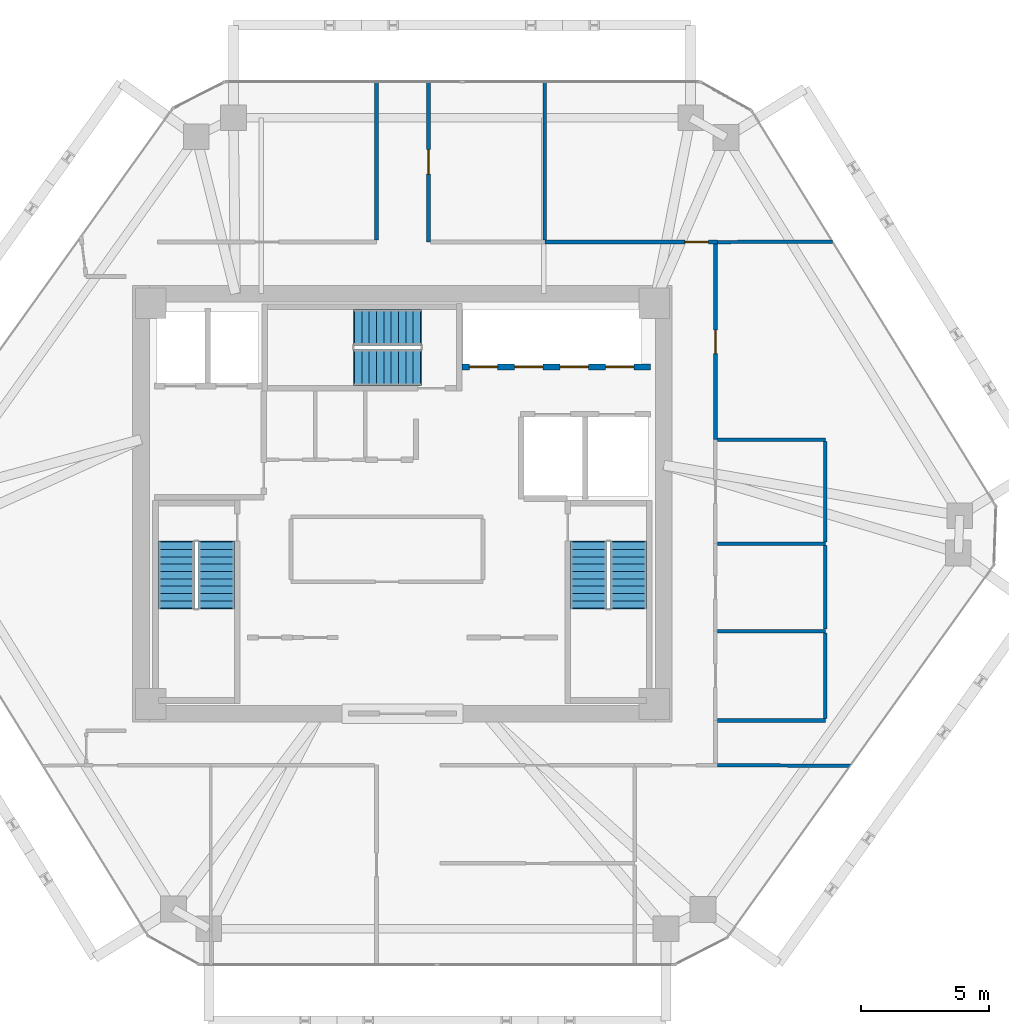
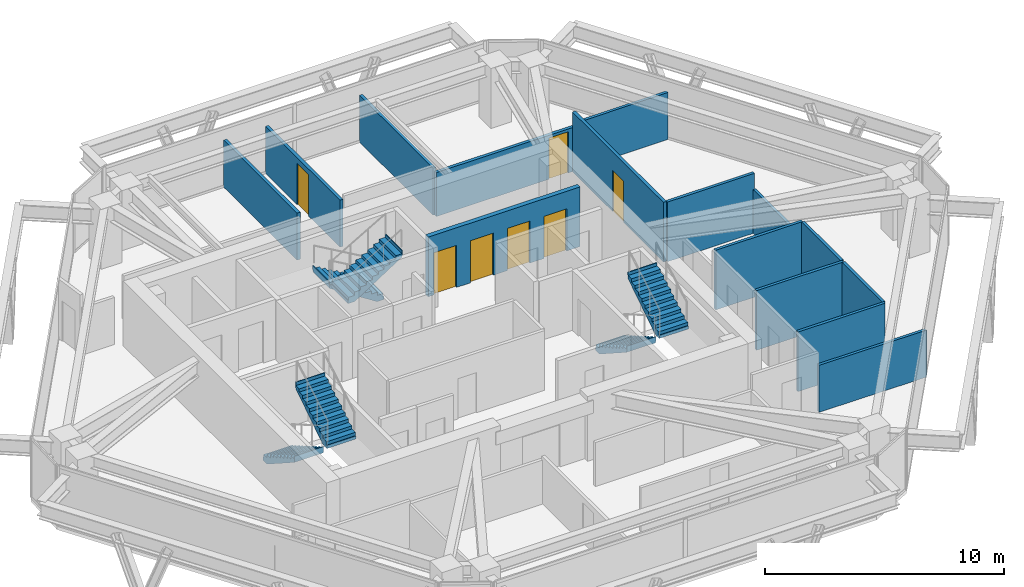
# One storey, part 10 of 11: 15 walls, 7 doors, 6 stair flights, 7 openings, 3 elements without a shape of their own.
"""IFC4 building model written with IfcOpenShell, lengths in metres."""

from ifc_helpers import new_model, si_unit, direction, frame, frame_2d, origin, place, context, subcontext, project, spatial, polyline, rectangle, outline, extrude, source, transform, mapped, material, layer, layer_set, type_object, type_shapes, element, fill, aggregate, save


model = new_model("IFC4")

# Units and contexts
model_context = context("Model", 3, precision=1e-05, world=origin(), true_north=direction((0.0, 1.0)))
body_context = subcontext(model_context, "Body", "Model", "MODEL_VIEW")
ifc_project = project(units=[si_unit("LENGTHUNIT", "METRE"), si_unit("AREAUNIT", "SQUARE_METRE"), si_unit("VOLUMEUNIT", "CUBIC_METRE"), si_unit("PLANEANGLEUNIT", "RADIAN"), si_unit("MASSUNIT", "GRAM", prefix="KILO")], contexts=[model_context])

# Site, building, storey
site_placement = place(None, origin())
site = spatial("IfcSite", under=ifc_project, at=site_placement, CompositionType="ELEMENT")
building_placement = place(site_placement, origin())
building = spatial("IfcBuilding", under=site, at=building_placement, Name="Durnholm Broadcast Tower", CompositionType="ELEMENT")
storey_placement = place(building_placement, frame((0.0, 0.0, 190.300048828125)))
storey = spatial("IfcBuildingStorey", under=building, at=storey_placement, Name="L52", CompositionType="ELEMENT", Elevation=190.300048828125)

# Walls
ifc_material_1 = material(Name="Gypsum Metal Stud Partition", Category="concrete")
ifc_layer_1 = layer(ifc_material_1, 0.135009765625)
ifc_layer_set_1 = layer_set([ifc_layer_1], Name="Gypsum Metal Stud Partition")
wall_type_1 = type_object("IfcWallType", Name="WALL-PART-135", PredefinedType="PARTITIONING", material=ifc_layer_set_1)
wall_1_placement = place(storey_placement, frame((5.5400390625, 16.41796875, 0.0), z_axis=(0.0, 0.0, 1.0), x_axis=(0.0, -1.0, 0.0)))
element("IfcWall", 1, at=wall_1_placement, inside=storey, type_object=wall_type_1, Name="L52 room dividing partition 12.13", PredefinedType="PARTITIONING", context=body_context, shape_type="SweptSolid", body=[
    extrude(rectangle(XDim=6.158935546875, YDim=0.135009765625, at=frame_2d((3.07958984375, 0.0))), origin(), (0.0, 0.0, 1.0), 2.398681640625),
])
wall_2_placement = place(storey_placement, frame((16.739990234375, 10.200927734375, 0.0), z_axis=(0.0, 0.0, 1.0), x_axis=(-0.999989522694, -0.004577608714, 0.0)))
element("IfcWall", 2, at=wall_2_placement, inside=storey, type_object=wall_type_1, Name="L52 room dividing partition 13.21", PredefinedType="PARTITIONING", context=body_context, shape_type="SweptSolid", body=[
    extrude(rectangle(XDim=4.47998046875, YDim=0.135009765625, at=frame_2d((2.239990234375, 0.0))), origin(), (0.0, 0.0, 1.0), 2.398681640625),
])
wall_3_placement = place(storey_placement, frame((12.260009765625, -10.180419921875, 0.0), z_axis=(0.0, 0.0, 1.0), x_axis=(0.999990144117, -0.004439782427, 0.0)))
element("IfcWall", 3, at=wall_3_placement, inside=storey, type_object=wall_type_1, Name="L52 room dividing partition 18.21", PredefinedType="PARTITIONING", context=body_context, shape_type="SweptSolid", body=[
    extrude(rectangle(XDim=5.1689453125, YDim=0.135009765625, at=frame_2d((2.58447265625, 0.0))), origin(), (0.0, 0.0, 1.0), 2.398681640625),
])
ifc_material_2 = material(Name="Acoustic Gypsum Stud Partition", Category="concrete")
ifc_layer_2 = layer(ifc_material_2, 0.14990234375)
ifc_layer_set_2 = layer_set([ifc_layer_2], Name="Acoustic Gypsum Stud Partition")
wall_type_2 = type_object("IfcWallType", Name="WALL-PART-150", PredefinedType="PARTITIONING", material=ifc_layer_set_2)
wall_4_placement = place(storey_placement, frame((-1.010009765625, 16.41796875, 0.0), z_axis=(0.0, 0.0, 1.0), x_axis=(0.0, -1.0, 0.0)))
element("IfcWall", 4, at=wall_4_placement, inside=storey, type_object=wall_type_2, Name="L52 Open Plan Broadcast Workspace 2 corridor partition", PredefinedType="PARTITIONING", context=body_context, shape_type="SweptSolid", body=[
    extrude(rectangle(XDim=6.158935546875, YDim=0.14990234375, at=frame_2d((3.07958984375, 0.0))), origin(), (0.0, 0.0, 1.0), 2.398681640625),
])

# Wall, opening, door
wall_5_placement = place(storey_placement, frame((1.010009765625, 10.179931640625, 0.0), z_axis=(0.0, 0.0, 1.0), x_axis=(0.0, 1.0, 0.0)))
wall_5 = element("IfcWall", 5, at=wall_5_placement, inside=storey, type_object=wall_type_2, Name="L52 Brand Review Lounge 2 corridor partition", PredefinedType="PARTITIONING", context=body_context, shape_type="SweptSolid", body=[
    extrude(rectangle(XDim=6.238037109375, YDim=0.14990234375, at=frame_2d((3.119140625, 0.0))), origin(), (0.0, 0.0, 1.0), 2.398681640625),
])
opening_1_placement = place(wall_5_placement, frame((2.64404296875, 0.0, 0.0)))
opening_1 = element("IfcOpeningElement", 6, at=opening_1_placement, cuts=wall_5, Name="Opening DR-95L", PredefinedType="OPENING", context=body_context, shape_type="SweptSolid", body=[
    extrude(rectangle(XDim=0.949951171875, YDim=2.10009765625, at=frame_2d((0.47509765625, 1.050048828125))), frame((0.0, 0.0849609375, 0.0), z_axis=(0.0, -1.0, 0.0), x_axis=(1.0, 0.0, 0.0)), (0.0, 0.0, 1.0), 0.169921875),
])
ifc_material_3 = material(Name="Acoustic Oak Veneer Timber Door", Category="wood")
ifc_layer_3 = layer(ifc_material_3, 0.050048828125)
ifc_layer_set_3 = layer_set([ifc_layer_3], Name="Acoustic Oak Veneer Timber Door")
door_type_1 = type_object("IfcDoorType", Name="DOOR-RM-950L", OperationType="NOTDEFINED", PredefinedType="DOOR", material=ifc_layer_set_3)
shared_shape_1 = source(origin(), body_context, "Body", "SweptSolid", [
    extrude(rectangle(XDim=0.949951171875, YDim=2.10009765625, at=frame_2d((0.47509765625, 1.050048828125))), frame((0.0, 0.02490234375, 0.0), z_axis=(0.0, -1.0, 0.0), x_axis=(1.0, 0.0, 0.0)), (0.0, 0.0, 1.0), 0.050048828125),
])
type_shapes(door_type_1, [shared_shape_1])
door_1_placement = place(opening_1_placement, origin())
door_1 = element("IfcDoor", 7, at=door_1_placement, inside=storey, type_object=door_type_1, Name="L52 Brand Review Lounge 2 entrance door", OperationType="SINGLE_SWING_LEFT", OverallHeight=2.10009765625, OverallWidth=0.949951171875, PredefinedType="DOOR", context=body_context, shape_type="MappedRepresentation", body=[
    mapped(shared_shape_1, transform((0.0, 0.0, 0.0), x_axis=(1.0, 0.0, 0.0), y_axis=(0.0, 1.0, 0.0), z_axis=(0.0, 0.0, 1.0), scale=1.0)),
])
fill(opening_1, door_1)

wall_6_placement = place(storey_placement, frame((12.260009765625, 10.179931640625, 0.0), z_axis=(0.0, 0.0, 1.0), x_axis=(-1.0, 0.0, 0.0)))
wall_6 = element("IfcWall", 8, at=wall_6_placement, inside=storey, type_object=wall_type_2, Name="L52 Open Plan Broadcast Workspace 4 corridor partition", PredefinedType="PARTITIONING", context=body_context, shape_type="SweptSolid", body=[
    extrude(rectangle(XDim=6.719970703125, YDim=0.14990234375, at=frame_2d((3.35986328125, 0.0))), origin(), (0.0, 0.0, 1.0), 2.24169921875),
])
opening_2_placement = place(wall_6_placement, frame((0.35009765625, 0.0, 0.0)))
opening_2 = element("IfcOpeningElement", 9, at=opening_2_placement, cuts=wall_6, Name="Opening DR-92R", PredefinedType="OPENING", context=body_context, shape_type="SweptSolid", body=[
    extrude(rectangle(XDim=0.919921875, YDim=2.10009765625, at=frame_2d((0.4599609375, 1.050048828125))), frame((0.0, 0.0849609375, 0.0), z_axis=(0.0, -1.0, 0.0), x_axis=(1.0, 0.0, 0.0)), (0.0, 0.0, 1.0), 0.169921875),
])
ifc_material_4 = material(Name="Oak Veneer Office Door", Category="wood")
ifc_layer_4 = layer(ifc_material_4, 0.050048828125)
ifc_layer_set_4 = layer_set([ifc_layer_4], Name="Oak Veneer Office Door")
door_type_2 = type_object("IfcDoorType", Name="DOOR-RM-920R", OperationType="NOTDEFINED", PredefinedType="DOOR", material=ifc_layer_set_4)
shared_shape_2 = source(origin(), body_context, "Body", "SweptSolid", [
    extrude(rectangle(XDim=0.919921875, YDim=2.10009765625, at=frame_2d((0.4599609375, 1.050048828125))), frame((0.0, 0.02490234375, 0.0), z_axis=(0.0, -1.0, 0.0), x_axis=(1.0, 0.0, 0.0)), (0.0, 0.0, 1.0), 0.050048828125),
])
type_shapes(door_type_2, [shared_shape_2])
door_2_placement = place(opening_2_placement, origin())
door_2 = element("IfcDoor", 10, at=door_2_placement, inside=storey, type_object=door_type_2, Name="L52 Open Plan Broadcast Workspace 4 entrance door", OperationType="SINGLE_SWING_RIGHT", OverallHeight=2.10009765625, OverallWidth=0.919921875, PredefinedType="DOOR", context=body_context, shape_type="MappedRepresentation", body=[
    mapped(shared_shape_2, transform((0.0, 0.0, 0.0), x_axis=(1.0, 0.0, 0.0), y_axis=(0.0, 1.0, 0.0), z_axis=(0.0, 0.0, 1.0), scale=1.0)),
])
fill(opening_2, door_2)

wall_7_placement = place(storey_placement, frame((12.179931640625, 2.489990234375, 0.0), z_axis=(0.0, 0.0, 1.0), x_axis=(0.0, 1.0, 0.0)))
wall_7 = element("IfcWall", 11, at=wall_7_placement, inside=storey, type_object=wall_type_2, Name="L52 Typography Meeting Room 2 corridor partition", PredefinedType="PARTITIONING", context=body_context, shape_type="SweptSolid", body=[
    extrude(rectangle(XDim=7.611083984375, YDim=0.14990234375, at=frame_2d((3.8056640625, 0.0))), origin(), (0.0, 0.0, 1.0), 3.044921875),
])
opening_3_placement = place(wall_7_placement, frame((3.345458984375, 0.0, 0.0)))
opening_3 = element("IfcOpeningElement", 12, at=opening_3_placement, cuts=wall_7, Name="Opening DR-92R", PredefinedType="OPENING", context=body_context, shape_type="SweptSolid", body=[
    extrude(rectangle(XDim=0.919921875, YDim=2.10009765625, at=frame_2d((0.4599609375, 1.050048828125))), frame((0.0, 0.0849609375, 0.0), z_axis=(0.0, -1.0, 0.0), x_axis=(1.0, 0.0, 0.0)), (0.0, 0.0, 1.0), 0.169921875),
])
door_3_placement = place(opening_3_placement, origin())
door_3 = element("IfcDoor", 13, at=door_3_placement, inside=storey, type_object=door_type_2, Name="L52 Typography Meeting Room 2 entrance door", OperationType="SINGLE_SWING_RIGHT", OverallHeight=2.10009765625, OverallWidth=0.919921875, PredefinedType="DOOR", context=body_context, shape_type="MappedRepresentation", body=[
    mapped(shared_shape_2, transform((0.0, 0.0, 0.0), x_axis=(1.0, 0.0, 0.0), y_axis=(0.0, 1.0, 0.0), z_axis=(0.0, 0.0, 1.0), scale=1.0)),
])
fill(opening_3, door_3)

# Wall, openings, doors
ifc_material_5 = material(Name="Concrete Blockwork C30/37", Category="masonry")
ifc_layer_5 = layer(ifc_material_5, 0.219970703125)
ifc_layer_set_5 = layer_set([ifc_layer_5], Name="Concrete Blockwork C30/37")
wall_type_3 = type_object("IfcWallType", Name="WALL-SHAFT-220", PredefinedType="SOLIDWALL", material=ifc_layer_set_5)
wall_8_placement = place(storey_placement, frame((2.324951171875, 5.320068359375, 0.0), z_axis=(0.0, 0.0, 1.0), x_axis=(1.0, 0.0, 0.0)))
wall_8 = element("IfcWall", 14, at=wall_8_placement, inside=storey, type_object=wall_type_3, Name="L52 high-rise bank P3 south front wall", PredefinedType="SOLIDWALL", context=body_context, shape_type="SweptSolid", body=[
    extrude(rectangle(XDim=7.324951171875, YDim=0.219970703125, at=frame_2d((3.66259765625, 0.0))), origin(), (0.0, 0.0, 1.0), 3.044921875),
])
opening_4_placement = place(wall_8_placement, frame((0.27490234375, 0.0, 0.0)))
opening_4 = element("IfcOpeningElement", 15, at=opening_4_placement, cuts=wall_8, Name="Opening LD-LP3-1", PredefinedType="OPENING", context=body_context, shape_type="SweptSolid", body=[
    extrude(rectangle(XDim=1.10009765625, YDim=2.14990234375, at=frame_2d((0.550048828125, 1.074951171875))), frame((0.0, 0.1201171875, 0.0), z_axis=(0.0, -1.0, 0.0), x_axis=(1.0, 0.0, 0.0)), (0.0, 0.0, 1.0), 0.239990234375),
])
opening_5_placement = place(wall_8_placement, frame((2.044921875, 0.0, 0.0)))
opening_5 = element("IfcOpeningElement", 16, at=opening_5_placement, cuts=wall_8, Name="Opening LD-LP3-2", PredefinedType="OPENING", context=body_context, shape_type="SweptSolid", body=[
    extrude(rectangle(XDim=1.10009765625, YDim=2.14990234375, at=frame_2d((0.550048828125, 1.074951171875))), frame((0.0, 0.1201171875, 0.0), z_axis=(0.0, -1.0, 0.0), x_axis=(1.0, 0.0, 0.0)), (0.0, 0.0, 1.0), 0.239990234375),
])
opening_6_placement = place(wall_8_placement, frame((3.81494140625, 0.0, 0.0)))
opening_6 = element("IfcOpeningElement", 17, at=opening_6_placement, cuts=wall_8, Name="Opening LD-LP3-3", PredefinedType="OPENING", context=body_context, shape_type="SweptSolid", body=[
    extrude(rectangle(XDim=1.10009765625, YDim=2.14990234375, at=frame_2d((0.550048828125, 1.074951171875))), frame((0.0, 0.1201171875, 0.0), z_axis=(0.0, -1.0, 0.0), x_axis=(1.0, 0.0, 0.0)), (0.0, 0.0, 1.0), 0.239990234375),
])
opening_7_placement = place(wall_8_placement, frame((5.5849609375, 0.0, 0.0)))
opening_7 = element("IfcOpeningElement", 18, at=opening_7_placement, cuts=wall_8, Name="Opening LD-LP3-4", PredefinedType="OPENING", context=body_context, shape_type="SweptSolid", body=[
    extrude(rectangle(XDim=1.10009765625, YDim=2.14990234375, at=frame_2d((0.550048828125, 1.074951171875))), frame((0.0, 0.1201171875, 0.0), z_axis=(0.0, -1.0, 0.0), x_axis=(1.0, 0.0, 0.0)), (0.0, 0.0, 1.0), 0.239990234375),
])
ifc_material_6 = material(Name="Stainless Steel Sliding Elevator Landing Door", Category="steel")
ifc_layer_6 = layer(ifc_material_6, 0.050048828125)
ifc_layer_set_6 = layer_set([ifc_layer_6], Name="Stainless Steel Sliding Elevator Landing Door")
door_type_3 = type_object("IfcDoorType", Name="DOOR-LIFT-PAX", OperationType="DOUBLE_DOOR_SLIDING", PredefinedType="DOOR", material=ifc_layer_set_6)
shared_shape_3 = source(origin(), body_context, "Body", "SweptSolid", [
    extrude(rectangle(XDim=1.10009765625, YDim=2.14990234375, at=frame_2d((0.550048828125, 1.074951171875))), frame((0.0, 0.02490234375, 0.0), z_axis=(0.0, -1.0, 0.0), x_axis=(1.0, 0.0, 0.0)), (0.0, 0.0, 1.0), 0.050048828125),
])
type_shapes(door_type_3, [shared_shape_3])
door_4_placement = place(opening_4_placement, origin())
door_4 = element("IfcDoor", 19, at=door_4_placement, inside=storey, type_object=door_type_3, Name="L52 high-rise elevator LP3-1 sliding landing door", OperationType="DOUBLE_DOOR_SLIDING", OverallHeight=2.14990234375, OverallWidth=1.10009765625, PredefinedType="DOOR", context=body_context, shape_type="MappedRepresentation", body=[
    mapped(shared_shape_3, transform((0.0, 0.0, 0.0), x_axis=(1.0, 0.0, 0.0), y_axis=(0.0, 1.0, 0.0), z_axis=(0.0, 0.0, 1.0), scale=1.0)),
])
fill(opening_4, door_4)
door_5_placement = place(opening_5_placement, origin())
door_5 = element("IfcDoor", 20, at=door_5_placement, inside=storey, type_object=door_type_3, Name="L52 high-rise elevator LP3-2 sliding landing door", OperationType="DOUBLE_DOOR_SLIDING", OverallHeight=2.14990234375, OverallWidth=1.10009765625, PredefinedType="DOOR", context=body_context, shape_type="MappedRepresentation", body=[
    mapped(shared_shape_3, transform((0.0, 0.0, 0.0), x_axis=(1.0, 0.0, 0.0), y_axis=(0.0, 1.0, 0.0), z_axis=(0.0, 0.0, 1.0), scale=1.0)),
])
fill(opening_5, door_5)
door_6_placement = place(opening_6_placement, origin())
door_6 = element("IfcDoor", 21, at=door_6_placement, inside=storey, type_object=door_type_3, Name="L52 high-rise elevator LP3-3 sliding landing door", OperationType="DOUBLE_DOOR_SLIDING", OverallHeight=2.14990234375, OverallWidth=1.10009765625, PredefinedType="DOOR", context=body_context, shape_type="MappedRepresentation", body=[
    mapped(shared_shape_3, transform((0.0, 0.0, 0.0), x_axis=(1.0, 0.0, 0.0), y_axis=(0.0, 1.0, 0.0), z_axis=(0.0, 0.0, 1.0), scale=1.0)),
])
fill(opening_6, door_6)
door_7_placement = place(opening_7_placement, origin())
door_7 = element("IfcDoor", 22, at=door_7_placement, inside=storey, type_object=door_type_3, Name="L52 high-rise elevator LP3-4 sliding landing door", OperationType="DOUBLE_DOOR_SLIDING", OverallHeight=2.14990234375, OverallWidth=1.10009765625, PredefinedType="DOOR", context=body_context, shape_type="MappedRepresentation", body=[
    mapped(shared_shape_3, transform((0.0, 0.0, 0.0), x_axis=(1.0, 0.0, 0.0), y_axis=(0.0, 1.0, 0.0), z_axis=(0.0, 0.0, 1.0), scale=1.0)),
])
fill(opening_7, door_7)

# Walls
ifc_material_7 = material(Name="Moisture-Resistant Tile Partition", Category="concrete")
ifc_layer_7 = layer(ifc_material_7, 0.139892578125)
ifc_layer_set_7 = layer_set([ifc_layer_7], Name="Moisture-Resistant Tile Partition")
wall_type_4 = type_object("IfcWallType", Name="WALL-WC-140", PredefinedType="PARTITIONING", material=ifc_layer_set_7)
wall_9_placement = place(storey_placement, frame((12.25390625, -4.9599609375, 0.0), z_axis=(0.0, 0.0, 1.0), x_axis=(1.0, 0.0, 0.0)))
element("IfcWall", 23, at=wall_9_placement, inside=storey, type_object=wall_type_4, Name="L52 room dividing partition 8.9", PredefinedType="PARTITIONING", context=body_context, shape_type="SweptSolid", body=[
    extrude(rectangle(XDim=4.2060546875, YDim=0.139892578125, at=frame_2d((2.10302734375, 0.0))), origin(), (0.0, 0.0, 1.0), 3.044921875),
])
wall_10_placement = place(storey_placement, frame((16.4599609375, -8.43994140625, 0.0), z_axis=(0.0, 0.0, 1.0), x_axis=(-1.0, 0.0, 0.0)))
element("IfcWall", 24, at=wall_10_placement, inside=storey, type_object=wall_type_4, Name="L52 room dividing partition 8.21", PredefinedType="PARTITIONING", context=body_context, shape_type="SweptSolid", body=[
    extrude(rectangle(XDim=4.200927734375, YDim=0.139892578125, at=frame_2d((2.1005859375, 0.0))), origin(), (0.0, 0.0, 1.0), 3.044921875),
])
wall_11_placement = place(storey_placement, frame((16.4599609375, -5.033935546875, 0.0), z_axis=(0.0, 0.0, 1.0), x_axis=(0.0, -1.0, 0.0)))
element("IfcWall", 25, at=wall_11_placement, inside=storey, type_object=wall_type_4, Name="L52 room dividing partition 8.21", PredefinedType="PARTITIONING", context=body_context, shape_type="SweptSolid", body=[
    extrude(rectangle(XDim=3.33203125, YDim=0.139892578125, at=frame_2d((1.666015625, 0.0))), origin(), (0.0, 0.0, 1.0), 3.044921875),
])
wall_12_placement = place(storey_placement, frame((12.25390625, -1.56005859375, 0.0), z_axis=(0.0, 0.0, 1.0), x_axis=(1.0, 0.0, 0.0)))
element("IfcWall", 26, at=wall_12_placement, inside=storey, type_object=wall_type_4, Name="L52 room dividing partition 9.10", PredefinedType="PARTITIONING", context=body_context, shape_type="SweptSolid", body=[
    extrude(rectangle(XDim=4.2060546875, YDim=0.139892578125, at=frame_2d((2.10302734375, 0.0))), origin(), (0.0, 0.0, 1.0), 3.044921875),
])
wall_13_placement = place(storey_placement, frame((16.4599609375, -1.634033203125, 0.0), z_axis=(0.0, 0.0, 1.0), x_axis=(0.0, -1.0, 0.0)))
element("IfcWall", 27, at=wall_13_placement, inside=storey, type_object=wall_type_4, Name="L52 room dividing partition 9.21", PredefinedType="PARTITIONING", context=body_context, shape_type="SweptSolid", body=[
    extrude(rectangle(XDim=3.251953125, YDim=0.139892578125, at=frame_2d((1.6259765625, 0.0))), origin(), (0.0, 0.0, 1.0), 3.044921875),
])
wall_14_placement = place(storey_placement, frame((12.259033203125, 2.489990234375, 0.0), z_axis=(0.0, 0.0, 1.0), x_axis=(1.0, 0.0, 0.0)))
element("IfcWall", 28, at=wall_14_placement, inside=storey, type_object=wall_type_4, Name="L52 room dividing partition 10.21", PredefinedType="PARTITIONING", context=body_context, shape_type="SweptSolid", body=[
    extrude(rectangle(XDim=4.200927734375, YDim=0.139892578125, at=frame_2d((2.1005859375, 0.0))), origin(), (0.0, 0.0, 1.0), 3.044921875),
])
wall_15_placement = place(storey_placement, frame((16.4599609375, 2.416015625, 0.0), z_axis=(0.0, 0.0, 1.0), x_axis=(0.0, -1.0, 0.0)))
element("IfcWall", 29, at=wall_15_placement, inside=storey, type_object=wall_type_4, Name="L52 room dividing partition 10.21", PredefinedType="PARTITIONING", context=body_context, shape_type="SweptSolid", body=[
    extrude(rectangle(XDim=3.902099609375, YDim=0.139892578125, at=frame_2d((1.951171875, 0.0))), origin(), (0.0, 0.0, 1.0), 2.24169921875),
])

# Stair, stair flights
ifc_material_8 = material(Name="Concrete C50/60", Category="concrete")
stair_type = type_object("IfcStairType", Name="STAIR-DL-20R1650", PredefinedType="HALF_TURN_STAIR", material=ifc_material_8)
stair_1_placement = place(storey_placement, origin())
stair_1 = element("IfcStair", 30, at=stair_1_placement, inside=storey, type_object=stair_type, Name="L52 ST-1", PredefinedType="HALF_TURN_STAIR")
stair_flight_type = type_object("IfcStairFlightType", Name="FLIGHT-DL-20R1650", PredefinedType="STRAIGHT", material=ifc_material_8)
stair_flight_1_placement = place(storey_placement, frame((-8.800048828125, -1.5, 0.0), z_axis=(0.0, 0.0, 1.0), x_axis=(0.0, -1.0, 0.0)))
stair_flight_1 = element("IfcStairFlight", 31, at=stair_flight_1_placement, type_object=stair_flight_type, Name="ST-1 flight 1", NumberOfRisers=10, NumberOfTreads=9, PredefinedType="STRAIGHT", RiserHeight=0.165, TreadLength=0.285, context=body_context, shape_type="SweptSolid", body=[
    extrude(outline(polyline([(-0.0400390625, -0.14990234375), (-0.0400390625, 0.0), (0.0, 0.0), (0.0, 0.1650390625), (0.284912109375, 0.1650390625), (0.284912109375, 0.330078125), (0.570068359375, 0.330078125), (0.570068359375, 0.4951171875), (0.85498046875, 0.4951171875), (0.85498046875, 0.659912109375), (1.139892578125, 0.659912109375), (1.139892578125, 0.824951171875), (1.425048828125, 0.824951171875), (1.425048828125, 0.989990234375), (1.7099609375, 0.989990234375), (1.7099609375, 1.155029296875), (1.9951171875, 1.155029296875), (1.9951171875, 1.320068359375), (2.280029296875, 1.320068359375), (2.280029296875, 1.485107421875), (2.56494140625, 1.485107421875), (2.56494140625, 1.64990234375), (2.60498046875, 1.64990234375), (2.60498046875, 1.5), (2.56494140625, 1.311767578125), (0.299072265625, -0.14990234375), (-0.0400390625, -0.14990234375)])), frame((0.0, 0.699951171875, 0.0), z_axis=(0.0, -1.0, 0.0), x_axis=(1.0, 0.0, 0.0)), (0.0, 0.0, 1.0), 1.39990234375),
])
stair_flight_2_placement = place(storey_placement, frame((-7.239990234375, -4.06494140625, 1.64990234375), z_axis=(0.0, 0.0, 1.0), x_axis=(0.0, 1.0, 0.0)))
stair_flight_2 = element("IfcStairFlight", 32, at=stair_flight_2_placement, type_object=stair_flight_type, Name="ST-1 flight 2", NumberOfRisers=10, NumberOfTreads=9, PredefinedType="STRAIGHT", RiserHeight=0.165, TreadLength=0.285, context=body_context, shape_type="SweptSolid", body=[
    extrude(outline(polyline([(-0.0400390625, -0.14990234375), (-0.0400390625, 0.0), (0.0, 0.0), (0.0, 0.1650390625), (0.284912109375, 0.1650390625), (0.284912109375, 0.330078125), (0.570068359375, 0.330078125), (0.570068359375, 0.4951171875), (0.85498046875, 0.4951171875), (0.85498046875, 0.659912109375), (1.139892578125, 0.659912109375), (1.139892578125, 0.824951171875), (1.425048828125, 0.824951171875), (1.425048828125, 0.989990234375), (1.7099609375, 0.989990234375), (1.7099609375, 1.155029296875), (1.9951171875, 1.155029296875), (1.9951171875, 1.320068359375), (2.280029296875, 1.320068359375), (2.280029296875, 1.485107421875), (2.56494140625, 1.485107421875), (2.56494140625, 1.64990234375), (2.60498046875, 1.64990234375), (2.60498046875, 1.5), (2.56494140625, 1.311767578125), (0.299072265625, -0.14990234375), (-0.0400390625, -0.14990234375)])), frame((0.0, 0.699951171875, 0.0), z_axis=(0.0, -1.0, 0.0), x_axis=(1.0, 0.0, 0.0)), (0.0, 0.0, 1.0), 1.39990234375),
])
aggregate(stair_1, [stair_flight_1, stair_flight_2])

stair_2_placement = place(storey_placement, origin())
stair_2 = element("IfcStair", 33, at=stair_2_placement, inside=storey, type_object=stair_type, Name="L52 ST-2", PredefinedType="HALF_TURN_STAIR")
stair_flight_3_placement = place(storey_placement, frame((7.239990234375, -1.5, 0.0), z_axis=(0.0, 0.0, 1.0), x_axis=(0.0, -1.0, 0.0)))
stair_flight_3 = element("IfcStairFlight", 34, at=stair_flight_3_placement, type_object=stair_flight_type, Name="ST-2 flight 1", NumberOfRisers=10, NumberOfTreads=9, PredefinedType="STRAIGHT", RiserHeight=0.165, TreadLength=0.285, context=body_context, shape_type="SweptSolid", body=[
    extrude(outline(polyline([(-0.0400390625, -0.14990234375), (-0.0400390625, 0.0), (0.0, 0.0), (0.0, 0.1650390625), (0.284912109375, 0.1650390625), (0.284912109375, 0.330078125), (0.570068359375, 0.330078125), (0.570068359375, 0.4951171875), (0.85498046875, 0.4951171875), (0.85498046875, 0.659912109375), (1.139892578125, 0.659912109375), (1.139892578125, 0.824951171875), (1.425048828125, 0.824951171875), (1.425048828125, 0.989990234375), (1.7099609375, 0.989990234375), (1.7099609375, 1.155029296875), (1.9951171875, 1.155029296875), (1.9951171875, 1.320068359375), (2.280029296875, 1.320068359375), (2.280029296875, 1.485107421875), (2.56494140625, 1.485107421875), (2.56494140625, 1.64990234375), (2.60498046875, 1.64990234375), (2.60498046875, 1.5), (2.56494140625, 1.311767578125), (0.299072265625, -0.14990234375), (-0.0400390625, -0.14990234375)])), frame((0.0, 0.699951171875, 0.0), z_axis=(0.0, -1.0, 0.0), x_axis=(1.0, 0.0, 0.0)), (0.0, 0.0, 1.0), 1.39990234375),
])
stair_flight_4_placement = place(storey_placement, frame((8.800048828125, -4.06494140625, 1.64990234375), z_axis=(0.0, 0.0, 1.0), x_axis=(0.0, 1.0, 0.0)))
stair_flight_4 = element("IfcStairFlight", 35, at=stair_flight_4_placement, type_object=stair_flight_type, Name="ST-2 flight 2", NumberOfRisers=10, NumberOfTreads=9, PredefinedType="STRAIGHT", RiserHeight=0.165, TreadLength=0.285, context=body_context, shape_type="SweptSolid", body=[
    extrude(outline(polyline([(-0.0400390625, -0.14990234375), (-0.0400390625, 0.0), (0.0, 0.0), (0.0, 0.1650390625), (0.284912109375, 0.1650390625), (0.284912109375, 0.330078125), (0.570068359375, 0.330078125), (0.570068359375, 0.4951171875), (0.85498046875, 0.4951171875), (0.85498046875, 0.659912109375), (1.139892578125, 0.659912109375), (1.139892578125, 0.824951171875), (1.425048828125, 0.824951171875), (1.425048828125, 0.989990234375), (1.7099609375, 0.989990234375), (1.7099609375, 1.155029296875), (1.9951171875, 1.155029296875), (1.9951171875, 1.320068359375), (2.280029296875, 1.320068359375), (2.280029296875, 1.485107421875), (2.56494140625, 1.485107421875), (2.56494140625, 1.64990234375), (2.60498046875, 1.64990234375), (2.60498046875, 1.5), (2.56494140625, 1.311767578125), (0.299072265625, -0.14990234375), (-0.0400390625, -0.14990234375)])), frame((0.0, 0.699951171875, 0.0), z_axis=(0.0, -1.0, 0.0), x_axis=(1.0, 0.0, 0.0)), (0.0, 0.0, 1.0), 1.39990234375),
])
aggregate(stair_2, [stair_flight_3, stair_flight_4])

stair_3_placement = place(storey_placement, origin())
stair_3 = element("IfcStair", 36, at=stair_3_placement, inside=storey, type_object=stair_type, Name="L52 ST-3", PredefinedType="HALF_TURN_STAIR")
stair_flight_5_placement = place(storey_placement, frame((0.699951171875, 6.860107421875, 0.0), z_axis=(0.0, 0.0, 1.0), x_axis=(-1.0, 0.0, 0.0)))
stair_flight_5 = element("IfcStairFlight", 37, at=stair_flight_5_placement, type_object=stair_flight_type, Name="ST-3 flight 1", NumberOfRisers=10, NumberOfTreads=9, PredefinedType="STRAIGHT", RiserHeight=0.165, TreadLength=0.285, context=body_context, shape_type="SweptSolid", body=[
    extrude(outline(polyline([(-0.0400390625, -0.14990234375), (-0.0400390625, 0.0), (0.0, 0.0), (0.0, 0.1650390625), (0.284912109375, 0.1650390625), (0.284912109375, 0.330078125), (0.570068359375, 0.330078125), (0.570068359375, 0.4951171875), (0.85498046875, 0.4951171875), (0.85498046875, 0.659912109375), (1.139892578125, 0.659912109375), (1.139892578125, 0.824951171875), (1.425048828125, 0.824951171875), (1.425048828125, 0.989990234375), (1.7099609375, 0.989990234375), (1.7099609375, 1.155029296875), (1.9951171875, 1.155029296875), (1.9951171875, 1.320068359375), (2.280029296875, 1.320068359375), (2.280029296875, 1.485107421875), (2.56494140625, 1.485107421875), (2.56494140625, 1.64990234375), (2.60498046875, 1.64990234375), (2.60498046875, 1.5), (2.56494140625, 1.311767578125), (0.299072265625, -0.14990234375), (-0.0400390625, -0.14990234375)])), frame((0.0, 0.699951171875, 0.0), z_axis=(0.0, -1.0, 0.0), x_axis=(1.0, 0.0, 0.0)), (0.0, 0.0, 1.0), 1.39990234375),
])
stair_flight_6_placement = place(storey_placement, frame((-1.864990234375, 5.300048828125, 1.64990234375), z_axis=(0.0, 0.0, 1.0), x_axis=(1.0, 0.0, 0.0)))
stair_flight_6 = element("IfcStairFlight", 38, at=stair_flight_6_placement, type_object=stair_flight_type, Name="ST-3 flight 2", NumberOfRisers=10, NumberOfTreads=9, PredefinedType="STRAIGHT", RiserHeight=0.165, TreadLength=0.285, context=body_context, shape_type="SweptSolid", body=[
    extrude(outline(polyline([(-0.0400390625, -0.14990234375), (-0.0400390625, 0.0), (0.0, 0.0), (0.0, 0.1650390625), (0.284912109375, 0.1650390625), (0.284912109375, 0.330078125), (0.570068359375, 0.330078125), (0.570068359375, 0.4951171875), (0.85498046875, 0.4951171875), (0.85498046875, 0.659912109375), (1.139892578125, 0.659912109375), (1.139892578125, 0.824951171875), (1.425048828125, 0.824951171875), (1.425048828125, 0.989990234375), (1.7099609375, 0.989990234375), (1.7099609375, 1.155029296875), (1.9951171875, 1.155029296875), (1.9951171875, 1.320068359375), (2.280029296875, 1.320068359375), (2.280029296875, 1.485107421875), (2.56494140625, 1.485107421875), (2.56494140625, 1.64990234375), (2.60498046875, 1.64990234375), (2.60498046875, 1.5), (2.56494140625, 1.311767578125), (0.299072265625, -0.14990234375), (-0.0400390625, -0.14990234375)])), frame((0.0, 0.699951171875, 0.0), z_axis=(0.0, -1.0, 0.0), x_axis=(1.0, 0.0, 0.0)), (0.0, 0.0, 1.0), 1.39990234375),
])
aggregate(stair_3, [stair_flight_5, stair_flight_6])

save(model, "model.ifc")
